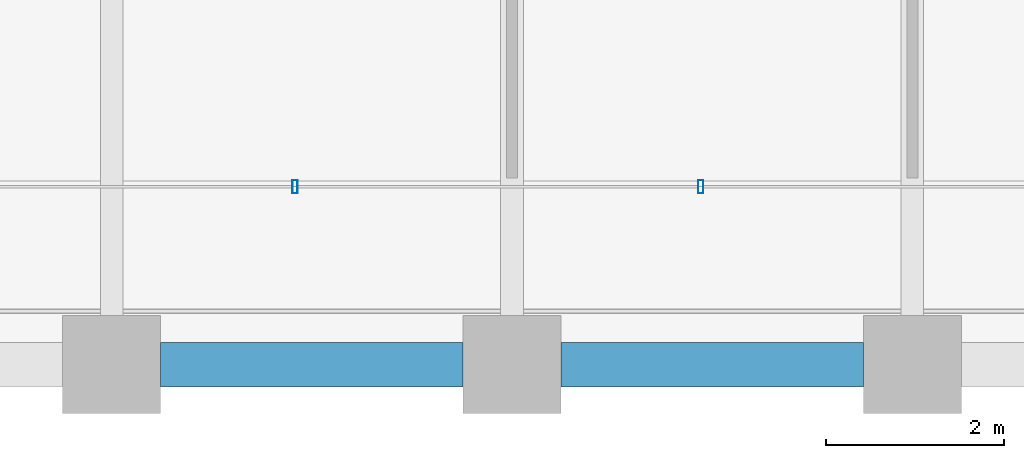
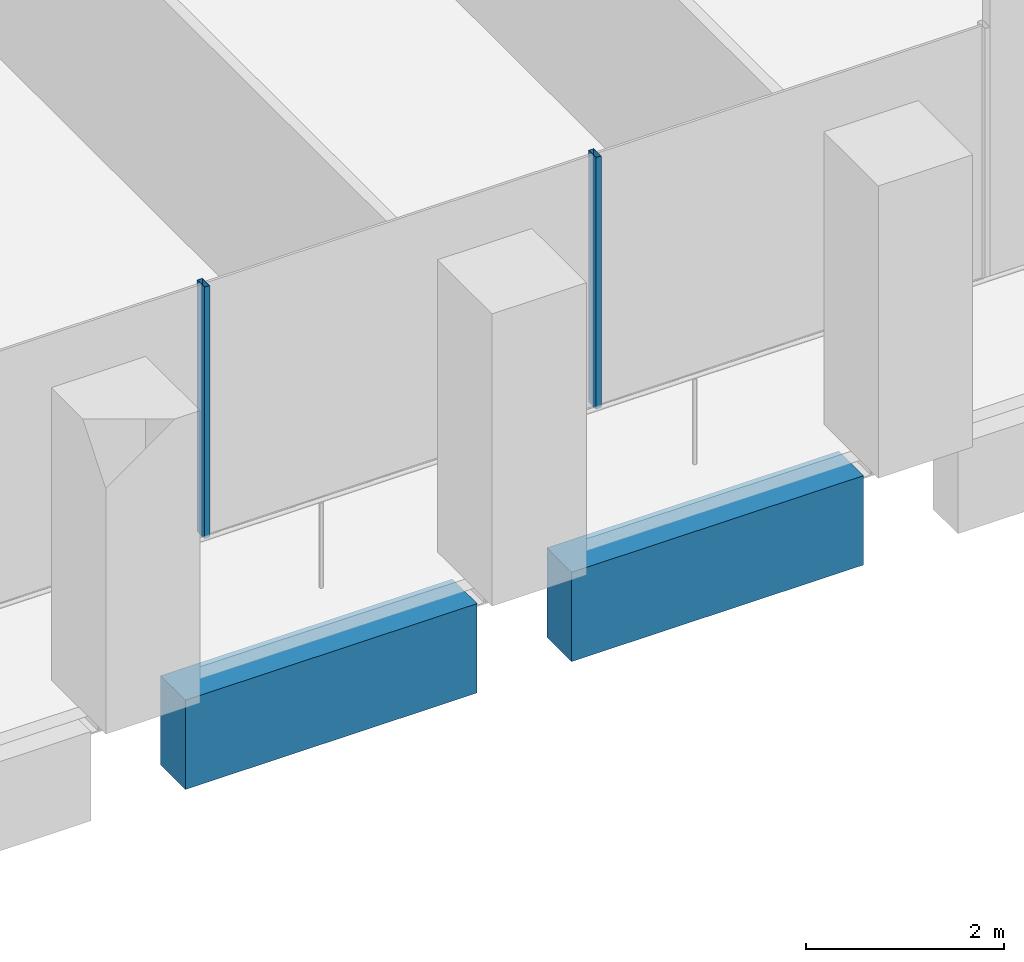
# One storey, part 3 of 56: 2 beams, 2 members, 1 element without a shape of its own.
"""IFC4 building model written with IfcOpenShell, lengths in metres."""

from ifc_helpers import new_model, si_unit, direction, frame, origin, origin_2d, place, context, subcontext, project, spatial, rectangle, hollow_rectangle, extrude, material, material_profile, profile_set, type_object, element, aggregate, save


model = new_model("IFC4")

# Units and contexts
model_context = context("Model", 3, precision=1e-05, world=origin(), true_north=direction((0.0, 1.0)))
body_context = subcontext(model_context, "Body", "Model", "MODEL_VIEW")
ifc_project = project(units=[si_unit("LENGTHUNIT", "METRE"), si_unit("AREAUNIT", "SQUARE_METRE"), si_unit("VOLUMEUNIT", "CUBIC_METRE"), si_unit("PLANEANGLEUNIT", "RADIAN"), si_unit("MASSUNIT", "GRAM", prefix="KILO")], contexts=[model_context])

# Site, building, storey
site_placement = place(None, origin())
site = spatial("IfcSite", under=ifc_project, at=site_placement, CompositionType="ELEMENT")
building_placement = place(site_placement, origin())
building = spatial("IfcBuilding", under=site, at=building_placement, Name="Altepetl Exchange Towers", CompositionType="ELEMENT")
storey_placement = place(building_placement, frame((0.0, 0.0, 54.60009765625)))
storey = spatial("IfcBuildingStorey", under=building, at=storey_placement, Name="L12", CompositionType="ELEMENT", Elevation=54.60009765625)

# Curtain wall, members
ifc_material_1 = material(Name="Aluminium 6063-T6 glazing", Category="aluminium")
curtain_wall_type = type_object("IfcCurtainWallType", Name="Loggia glazing system", PredefinedType="NOTDEFINED", material=ifc_material_1)
curtain_wall_placement = place(storey_placement, origin())
curtain_wall = element("IfcCurtainWall", 1, at=curtain_wall_placement, inside=storey, type_object=curtain_wall_type, Name="CW1 run", PredefinedType="NOTDEFINED")
ifc_material_2 = material(Name="Aluminium 6063-T6", Category="aluminium")
ifc_material_profile_1 = material_profile(ifc_material_2, hollow_rectangle(XDim=0.06005859375, YDim=0.14990234375, WallThickness=0.0029296875, at=origin_2d()), Name="Mullion 60x150 aluminium")
ifc_profile_set_1 = profile_set([ifc_material_profile_1], Name="Aluminium 6063-T6")
member_type = type_object("IfcMemberType", Name="Mullion 60x150 aluminium", PredefinedType="MULLION", material=ifc_profile_set_1)
member_1_placement = place(storey_placement, frame((38.060791015625, 29.0, 0.0)))
member_1 = element("IfcMember", 2, at=member_1_placement, type_object=member_type, Name="MU1 mullion", PredefinedType="MULLION", context=body_context, shape_type="SweptSolid", body=[
    extrude(hollow_rectangle(XDim=0.06005859375, YDim=0.14990234375, WallThickness=0.0029296875, at=origin_2d()), origin(), (0.0, 0.0, 1.0), 3.099853515625),
])
member_2_placement = place(storey_placement, frame((42.621337890625, 29.0, 0.0)))
member_2 = element("IfcMember", 3, at=member_2_placement, type_object=member_type, Name="MU1 mullion", PredefinedType="MULLION", context=body_context, shape_type="SweptSolid", body=[
    extrude(hollow_rectangle(XDim=0.06005859375, YDim=0.14990234375, WallThickness=0.0029296875, at=origin_2d()), origin(), (0.0, 0.0, 1.0), 3.099853515625),
])
aggregate(curtain_wall, [member_1, member_2])

# Beams
ifc_material_3 = material(Name="Concrete C50/60 precast with cantera blanca facing", Category="concrete")
ifc_material_profile_2 = material_profile(ifc_material_3, rectangle(XDim=0.5, YDim=1.10009765625, at=origin_2d()), Name="500 x 1100")
ifc_profile_set_2 = profile_set([ifc_material_profile_2], Name="Concrete C50/60 precast with cantera blanca facing")
beam_type = type_object("IfcBeamType", Name="Spandrel beam 500x1100 cantera blanca", PredefinedType="SPANDREL", material=ifc_profile_set_2)
for number, where, z_axis, x_axis, name in (
    (4, (36.550048828125, 27.0, -0.7001953125), (1.0, 0.0, 0.0), (0.0, 1.0, 0.0), "sp:A:L12:001"),
    (5, (41.050048828125, 27.0, -0.7001953125), (1.0, 0.0, 0.0), (0.0, 1.0, 0.0), "sp:A:L12:002"),
):
    element("IfcBeam", number, at=place(storey_placement, frame(where, z_axis=z_axis, x_axis=x_axis)), inside=storey, type_object=beam_type, Name=name, PredefinedType="SPANDREL", context=body_context, shape_type="SweptSolid", body=[
        extrude(rectangle(XDim=0.5, YDim=1.10009765625, at=origin_2d()), origin(), (0.0, 0.0, 1.0), 3.39990234375),
    ])

save(model, "model.ifc")
